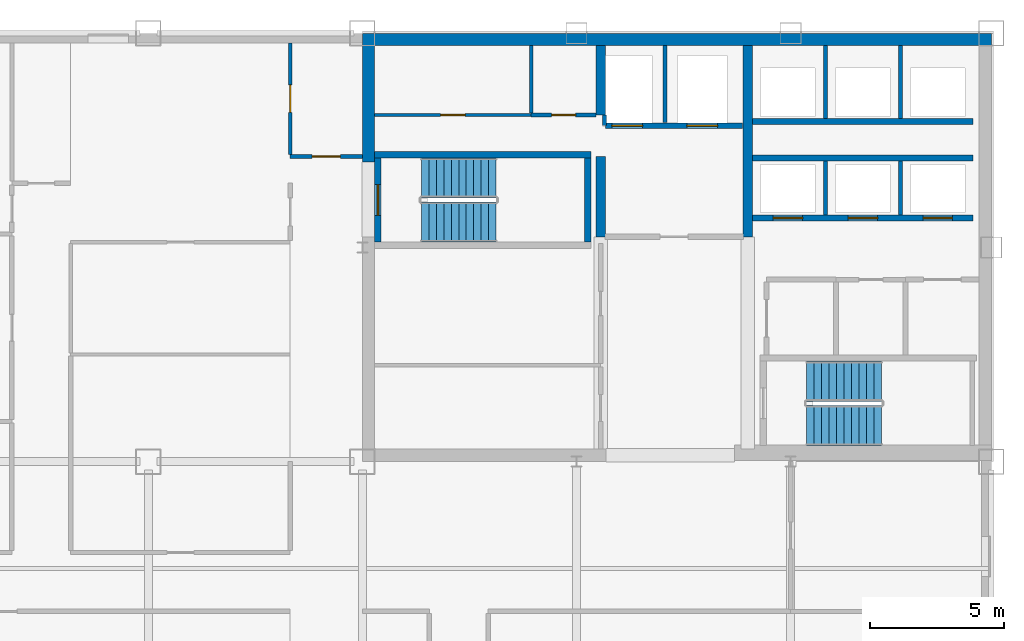
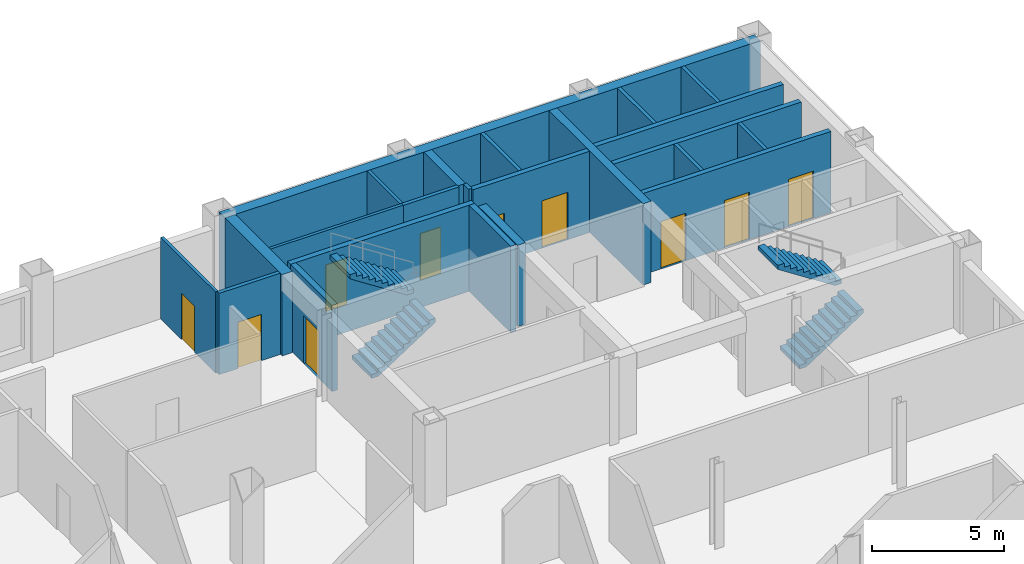
# One storey, part 6 of 10: 23 walls, 10 doors, 4 stair flights, 10 openings, 2 elements without a shape of their own.
"""IFC4 building model written with IfcOpenShell, lengths in metres."""

from ifc_helpers import new_model, si_unit, direction, frame, frame_2d, origin, place, context, subcontext, project, spatial, polyline, rectangle, outline, extrude, material, layer, layer_set, type_object, element, fill, aggregate, save


model = new_model("IFC4")

# Units and contexts
model_context = context("Model", 3, precision=1e-05, world=origin(), true_north=direction((0.0, 1.0)))
body_context = subcontext(model_context, "Body", "Model", "MODEL_VIEW")
ifc_project = project(units=[si_unit("LENGTHUNIT", "METRE"), si_unit("AREAUNIT", "SQUARE_METRE"), si_unit("VOLUMEUNIT", "CUBIC_METRE"), si_unit("PLANEANGLEUNIT", "RADIAN"), si_unit("MASSUNIT", "GRAM", prefix="KILO")], contexts=[model_context])

# Site, building, storey
site_placement = place(None, origin())
site = spatial("IfcSite", under=ifc_project, at=site_placement, CompositionType="ELEMENT")
building_placement = place(site_placement, origin())
building = spatial("IfcBuilding", under=site, at=building_placement, Name="Qianrong Seaharbour Tower", CompositionType="ELEMENT")
storey_placement = place(building_placement, frame((0.0, 0.0, 257.800048828125)))
storey = spatial("IfcBuildingStorey", under=building, at=storey_placement, Name="L62", CompositionType="ELEMENT", Elevation=257.800048828125)

# Walls
ifc_material_1 = material(Name="Concrete C60/75", Category="concrete")
ifc_layer_1 = layer(ifc_material_1, 0.4599609375)
ifc_layer_set_1 = layer_set([ifc_layer_1], Name="Concrete C60/75")
wall_type_1 = type_object("IfcWallType", Name="WALL-CORE-460", PredefinedType="SHEAR", material=ifc_layer_set_1)
wall_1_placement = place(storey_placement, frame((40.5, 51.77001953125, 0.0), z_axis=(0.0, 0.0, 1.0), x_axis=(1.0, 0.0, 0.0)))
element("IfcWall", 1, at=wall_1_placement, inside=storey, type_object=wall_type_1, Name="L62 North Core Shear Wall", PredefinedType="SHEAR", context=body_context, shape_type="SweptSolid", body=[
    extrude(rectangle(XDim=23.5, YDim=0.4599609375, at=frame_2d((11.75, 0.0))), origin(), (0.0, 0.0, 1.0), 3.77490234375),
])
wall_2_placement = place(storey_placement, frame((40.72998046875, 47.199951171875, 0.0), z_axis=(0.0, 0.0, 1.0), x_axis=(0.0, 1.0, 0.0)))
element("IfcWall", 2, at=wall_2_placement, inside=storey, type_object=wall_type_1, Name="L62 West Core Shear Wall North", PredefinedType="SHEAR", context=body_context, shape_type="SweptSolid", body=[
    extrude(rectangle(XDim=4.340087890625, YDim=0.4599609375, at=frame_2d((2.169921875, 0.0))), origin(), (0.0, 0.0, 1.0), 3.77490234375),
])
ifc_material_2 = material(Name="Concrete C50/60", Category="concrete")
ifc_layer_2 = layer(ifc_material_2, 0.35009765625)
ifc_layer_set_2 = layer_set([ifc_layer_2], Name="Concrete C50/60")
wall_type_2 = type_object("IfcWallType", Name="WALL-CORE-INT-350", PredefinedType="SHEAR", material=ifc_layer_set_2)
wall_3_placement = place(storey_placement, frame((49.39990234375, 44.39990234375, 0.0), z_axis=(0.0, 0.0, 1.0), x_axis=(0.0, 1.0, 0.0)))
element("IfcWall", 3, at=wall_3_placement, inside=storey, type_object=wall_type_2, Name="L62 Internal Core Shear Wall IW1N1", PredefinedType="SHEAR", context=body_context, shape_type="SweptSolid", body=[
    extrude(rectangle(XDim=3.0, YDim=0.35009765625, at=frame_2d((1.5, 0.0))), origin(), (0.0, 0.0, 1.0), 3.77490234375),
])
wall_4_placement = place(storey_placement, frame((49.39990234375, 48.949951171875, 0.0), z_axis=(0.0, 0.0, 1.0), x_axis=(0.0, 1.0, 0.0)))
element("IfcWall", 4, at=wall_4_placement, inside=storey, type_object=wall_type_2, Name="L62 Internal Core Shear Wall IW1N2", PredefinedType="SHEAR", context=body_context, shape_type="SweptSolid", body=[
    extrude(rectangle(XDim=2.590087890625, YDim=0.35009765625, at=frame_2d((1.294921875, 0.0))), origin(), (0.0, 0.0, 1.0), 3.77490234375),
])
wall_5_placement = place(storey_placement, frame((54.89990234375, 44.39990234375, 0.0), z_axis=(0.0, 0.0, 1.0), x_axis=(0.0, 1.0, 0.0)))
element("IfcWall", 5, at=wall_5_placement, inside=storey, type_object=wall_type_2, Name="L62 Internal Core Shear Wall IW2N", PredefinedType="SHEAR", context=body_context, shape_type="SweptSolid", body=[
    extrude(rectangle(XDim=7.14013671875, YDim=0.35009765625, at=frame_2d((3.570068359375, 0.0))), origin(), (0.0, 0.0, 1.0), 3.77490234375),
])

# Wall, opening, door
ifc_material_3 = material(Name="Fire-rated acoustic gypsum board partition")
ifc_layer_3 = layer(ifc_material_3, 0.1650390625)
ifc_layer_set_3 = layer_set([ifc_layer_3], Name="Fire-rated acoustic gypsum board partition")
wall_type_3 = type_object("IfcWallType", Name="WALL-CORR-PART-165", PredefinedType="PARTITIONING", material=ifc_layer_set_3)
wall_6_placement = place(storey_placement, frame((37.800048828125, 47.39990234375, 0.0), z_axis=(0.0, 0.0, 1.0), x_axis=(1.0, 0.0, 0.0)))
wall_6 = element("IfcWall", 6, at=wall_6_placement, inside=storey, type_object=wall_type_3, Name="L62 Interior Partition Wall 001", PredefinedType="PARTITIONING", context=body_context, shape_type="SweptSolid", body=[
    extrude(rectangle(XDim=2.699951171875, YDim=0.1650390625, at=frame_2d((1.35009765625, 0.0))), origin(), (0.0, 0.0, 1.0), 3.77490234375),
])
opening_1_placement = place(wall_6_placement, frame((0.824951171875, 0.0, 0.0)))
opening_1 = element("IfcOpeningElement", 7, at=opening_1_placement, cuts=wall_6, Name="Opening DC-01", PredefinedType="OPENING", context=body_context, shape_type="SweptSolid", body=[
    extrude(rectangle(XDim=1.050048828125, YDim=2.14990234375, at=frame_2d((0.52490234375, 1.074951171875))), frame((0.0, 0.092529296875, 0.0), z_axis=(0.0, -1.0, 0.0), x_axis=(1.0, 0.0, 0.0)), (0.0, 0.0, 1.0), 0.18505859375),
])
ifc_material_4 = material(Name="Acoustic timber and galvanized steel fire door assembly", Category="steel")
door_type_1 = type_object("IfcDoorType", Name="DOOR-CORR-FD60-1050x2150", OperationType="NOTDEFINED", PredefinedType="DOOR", material=ifc_material_4)
door_1_placement = place(opening_1_placement, origin())
door_1 = element("IfcDoor", 8, at=door_1_placement, inside=storey, type_object=door_type_1, Name="L62 Smokeproof Stair Vestibule ST-1 Door", OperationType="SINGLE_SWING_RIGHT", OverallHeight=2.14990234375, OverallWidth=1.050048828125, PredefinedType="DOOR", context=body_context, shape_type="SweptSolid", body=[
    extrude(rectangle(XDim=1.050048828125, YDim=2.14990234375, at=frame_2d((0.52490234375, 1.074951171875))), frame((0.0, 0.02490234375, 0.0), z_axis=(0.0, -1.0, 0.0), x_axis=(1.0, 0.0, 0.0)), (0.0, 0.0, 1.0), 0.050048828125),
])
fill(opening_1, door_1)

wall_7_placement = place(storey_placement, frame((46.800048828125, 48.949951171875, 0.0), z_axis=(0.0, 0.0, 1.0), x_axis=(1.0, 0.0, 0.0)))
wall_7 = element("IfcWall", 9, at=wall_7_placement, inside=storey, type_object=wall_type_3, Name="L62 Interior Partition Wall 005", PredefinedType="PARTITIONING", context=body_context, shape_type="SweptSolid", body=[
    extrude(rectangle(XDim=2.432861328125, YDim=0.1650390625, at=frame_2d((1.21630859375, 0.0))), origin(), (0.0, 0.0, 1.0), 3.77490234375),
])
opening_2_placement = place(wall_7_placement, frame((0.7666015625, 0.0, 0.0)))
opening_2 = element("IfcOpeningElement", 10, at=opening_2_placement, cuts=wall_7, Name="Opening DS-01", PredefinedType="OPENING", context=body_context, shape_type="SweptSolid", body=[
    extrude(rectangle(XDim=0.89990234375, YDim=2.14990234375, at=frame_2d((0.449951171875, 1.074951171875))), frame((0.0, 0.092529296875, 0.0), z_axis=(0.0, -1.0, 0.0), x_axis=(1.0, 0.0, 0.0)), (0.0, 0.0, 1.0), 0.18505859375),
])
door_type_2 = type_object("IfcDoorType", Name="DOOR-STORE-900x2150", OperationType="NOTDEFINED", PredefinedType="DOOR", material=ifc_material_4)
door_2_placement = place(opening_2_placement, origin())
door_2 = element("IfcDoor", 11, at=door_2_placement, inside=storey, type_object=door_type_2, Name="L62 Janitor Store Room Door", OperationType="SINGLE_SWING_LEFT", OverallHeight=2.14990234375, OverallWidth=0.89990234375, PredefinedType="DOOR", context=body_context, shape_type="SweptSolid", body=[
    extrude(rectangle(XDim=0.89990234375, YDim=2.14990234375, at=frame_2d((0.449951171875, 1.074951171875))), frame((0.0, 0.02490234375, 0.0), z_axis=(0.0, -1.0, 0.0), x_axis=(1.0, 0.0, 0.0)), (0.0, 0.0, 1.0), 0.050048828125),
])
fill(opening_2, door_2)

# Walls
ifc_material_5 = material(Name="Fire-rated gypsum board on steel studs", Category="steel")
ifc_layer_4 = layer(ifc_material_5, 0.14990234375)
ifc_layer_set_4 = layer_set([ifc_layer_4], Name="Fire-rated gypsum board on steel studs")
wall_type_4 = type_object("IfcWallType", Name="WALL-SHAFT-DIV-150", PredefinedType="PARTITIONING", material=ifc_layer_set_4)
wall_8_placement = place(storey_placement, frame((51.800048828125, 48.669921875, 0.0), z_axis=(0.0, 0.0, 1.0), x_axis=(0.0, 1.0, 0.0)))
element("IfcWall", 12, at=wall_8_placement, inside=storey, type_object=wall_type_4, Name="L62 Firefighting Lift Shaft Divider Wall", PredefinedType="PARTITIONING", context=body_context, shape_type="SweptSolid", body=[
    extrude(rectangle(XDim=2.8701171875, YDim=0.14990234375, at=frame_2d((1.43505859375, 0.0))), origin(), (0.0, 0.0, 1.0), 3.77490234375),
])
wall_9_placement = place(storey_placement, frame((49.550048828125, 48.550048828125, 0.0), z_axis=(0.0, 0.0, 1.0), x_axis=(0.0, 1.0, 0.0)))
element("IfcWall", 13, at=wall_9_placement, inside=storey, type_object=wall_type_4, Name="L62 Firefighting Lift Shaft West Return Wall", PredefinedType="PARTITIONING", context=body_context, shape_type="SweptSolid", body=[
    extrude(rectangle(XDim=0.39990234375, YDim=0.14990234375, at=frame_2d((0.199951171875, 0.0))), origin(), (0.0, 0.0, 1.0), 3.77490234375),
])
for number, where, z_axis, x_axis, name in (
    (14, (57.800048828125, 45.2099609375, 0.0), (0.0, 0.0, 1.0), (0.0, 1.0, 0.0), "L62 P3 Lift Hoistway Divider 2"),
    (15, (60.60009765625, 45.2099609375, 0.0), (0.0, 0.0, 1.0), (0.0, 1.0, 0.0), "L62 P3 Lift Hoistway Divider 3"),
):
    element("IfcWall", number, at=place(storey_placement, frame(where, z_axis=z_axis, x_axis=x_axis)), inside=storey, type_object=wall_type_4, Name=name, PredefinedType="PARTITIONING", context=body_context, shape_type="SweptSolid", body=[
        extrude(rectangle(XDim=2.030029296875, YDim=0.14990234375, at=frame_2d((1.01513671875, 0.0))), origin(), (0.0, 0.0, 1.0), 3.77490234375),
    ])
for number, where, z_axis, x_axis, name in (
    (16, (57.800048828125, 48.81005859375, 0.0), (0.0, 0.0, 1.0), (0.0, 1.0, 0.0), "L62 P4 Lift Hoistway Divider 2"),
    (17, (60.60009765625, 48.81005859375, 0.0), (0.0, 0.0, 1.0), (0.0, 1.0, 0.0), "L62 P4 Lift Hoistway Divider 3"),
):
    element("IfcWall", number, at=place(storey_placement, frame(where, z_axis=z_axis, x_axis=x_axis)), inside=storey, type_object=wall_type_4, Name=name, PredefinedType="PARTITIONING", context=body_context, shape_type="SweptSolid", body=[
        extrude(rectangle(XDim=2.72998046875, YDim=0.14990234375, at=frame_2d((1.364990234375, 0.0))), origin(), (0.0, 0.0, 1.0), 3.77490234375),
    ])

# Wall, openings, doors
ifc_layer_5 = layer(ifc_material_5, 0.219970703125)
ifc_layer_set_5 = layer_set([ifc_layer_5], Name="Fire-rated gypsum board on steel studs")
wall_type_5 = type_object("IfcWallType", Name="WALL-SHAFT-GYP220", PredefinedType="PARTITIONING", material=ifc_layer_set_5)
wall_10_placement = place(storey_placement, frame((54.7099609375, 48.550048828125, 0.0), z_axis=(0.0, 0.0, 1.0), x_axis=(-1.0, 0.0, 0.0)))
wall_10 = element("IfcWall", 18, at=wall_10_placement, inside=storey, type_object=wall_type_5, Name="L62 Firefighting Lift Shaft Front Wall", PredefinedType="PARTITIONING", context=body_context, shape_type="SweptSolid", body=[
    extrude(rectangle(XDim=5.119873046875, YDim=0.219970703125, at=frame_2d((2.56005859375, 0.0))), origin(), (0.0, 0.0, 1.0), 3.77490234375),
])
opening_3_placement = place(wall_10_placement, frame((3.735107421875, 0.0, 0.0)))
opening_3 = element("IfcOpeningElement", 19, at=opening_3_placement, cuts=wall_10, Name="Opening LD-01", PredefinedType="OPENING", context=body_context, shape_type="SweptSolid", body=[
    extrude(rectangle(XDim=1.14990234375, YDim=2.199951171875, at=frame_2d((0.574951171875, 1.10009765625))), frame((0.0, 0.1201171875, 0.0), z_axis=(0.0, -1.0, 0.0), x_axis=(1.0, 0.0, 0.0)), (0.0, 0.0, 1.0), 0.239990234375),
])
opening_4_placement = place(wall_10_placement, frame((0.93505859375, 0.0, 0.0)))
opening_4 = element("IfcOpeningElement", 20, at=opening_4_placement, cuts=wall_10, Name="Opening LD-01", PredefinedType="OPENING", context=body_context, shape_type="SweptSolid", body=[
    extrude(rectangle(XDim=1.14990234375, YDim=2.199951171875, at=frame_2d((0.574951171875, 1.10009765625))), frame((0.0, 0.1201171875, 0.0), z_axis=(0.0, -1.0, 0.0), x_axis=(1.0, 0.0, 0.0)), (0.0, 0.0, 1.0), 0.239990234375),
])
ifc_material_6 = material(Name="Stainless steel SUS316L bi-parting lift landing door", Category="steel")
door_type_3 = type_object("IfcDoorType", Name="DOOR-LIFT-FF-1150x2200", OperationType="DOUBLE_DOOR_SLIDING", PredefinedType="DOOR", material=ifc_material_6)
door_3_placement = place(opening_3_placement, origin())
door_3 = element("IfcDoor", 21, at=door_3_placement, inside=storey, type_object=door_type_3, Name="L62 FL-1 Firefighting Lift Landing Door", OperationType="DOUBLE_DOOR_SLIDING", OverallHeight=2.199951171875, OverallWidth=1.14990234375, PredefinedType="DOOR", context=body_context, shape_type="SweptSolid", body=[
    extrude(rectangle(XDim=1.14990234375, YDim=2.199951171875, at=frame_2d((0.574951171875, 1.10009765625))), frame((0.0, 0.02490234375, 0.0), z_axis=(0.0, -1.0, 0.0), x_axis=(1.0, 0.0, 0.0)), (0.0, 0.0, 1.0), 0.050048828125),
])
fill(opening_3, door_3)
door_4_placement = place(opening_4_placement, origin())
door_4 = element("IfcDoor", 22, at=door_4_placement, inside=storey, type_object=door_type_3, Name="L62 FL-2 Firefighting Lift Landing Door", OperationType="DOUBLE_DOOR_SLIDING", OverallHeight=2.199951171875, OverallWidth=1.14990234375, PredefinedType="DOOR", context=body_context, shape_type="SweptSolid", body=[
    extrude(rectangle(XDim=1.14990234375, YDim=2.199951171875, at=frame_2d((0.574951171875, 1.10009765625))), frame((0.0, 0.02490234375, 0.0), z_axis=(0.0, -1.0, 0.0), x_axis=(1.0, 0.0, 0.0)), (0.0, 0.0, 1.0), 0.050048828125),
])
fill(opening_4, door_4)

wall_11_placement = place(storey_placement, frame((63.320068359375, 45.10009765625, 0.0), z_axis=(0.0, 0.0, 1.0), x_axis=(-1.0, 0.0, 0.0)))
wall_11 = element("IfcWall", 23, at=wall_11_placement, inside=storey, type_object=wall_type_5, Name="L62 P3 Lift Hoistway Front Wall", PredefinedType="PARTITIONING", context=body_context, shape_type="SweptSolid", body=[
    extrude(rectangle(XDim=8.239990234375, YDim=0.219970703125, at=frame_2d((4.1201171875, 0.0))), origin(), (0.0, 0.0, 1.0), 3.77490234375),
])
opening_5_placement = place(wall_11_placement, frame((6.3701171875, 0.0, 0.0)))
opening_5 = element("IfcOpeningElement", 24, at=opening_5_placement, cuts=wall_11, Name="Opening LD-02", PredefinedType="OPENING", context=body_context, shape_type="SweptSolid", body=[
    extrude(rectangle(XDim=1.10009765625, YDim=2.199951171875, at=frame_2d((0.550048828125, 1.10009765625))), frame((0.0, 0.1201171875, 0.0), z_axis=(0.0, -1.0, 0.0), x_axis=(1.0, 0.0, 0.0)), (0.0, 0.0, 1.0), 0.239990234375),
])
opening_6_placement = place(wall_11_placement, frame((3.570068359375, 0.0, 0.0)))
opening_6 = element("IfcOpeningElement", 25, at=opening_6_placement, cuts=wall_11, Name="Opening LD-02", PredefinedType="OPENING", context=body_context, shape_type="SweptSolid", body=[
    extrude(rectangle(XDim=1.10009765625, YDim=2.199951171875, at=frame_2d((0.550048828125, 1.10009765625))), frame((0.0, 0.1201171875, 0.0), z_axis=(0.0, -1.0, 0.0), x_axis=(1.0, 0.0, 0.0)), (0.0, 0.0, 1.0), 0.239990234375),
])
opening_7_placement = place(wall_11_placement, frame((0.77001953125, 0.0, 0.0)))
opening_7 = element("IfcOpeningElement", 26, at=opening_7_placement, cuts=wall_11, Name="Opening LD-02", PredefinedType="OPENING", context=body_context, shape_type="SweptSolid", body=[
    extrude(rectangle(XDim=1.10009765625, YDim=2.199951171875, at=frame_2d((0.550048828125, 1.10009765625))), frame((0.0, 0.1201171875, 0.0), z_axis=(0.0, -1.0, 0.0), x_axis=(1.0, 0.0, 0.0)), (0.0, 0.0, 1.0), 0.239990234375),
])
door_type_4 = type_object("IfcDoorType", Name="DOOR-LIFT-PASS-1100x2200", OperationType="DOUBLE_DOOR_SLIDING", PredefinedType="DOOR", material=ifc_material_6)
door_5_placement = place(opening_5_placement, origin())
door_5 = element("IfcDoor", 27, at=door_5_placement, inside=storey, type_object=door_type_4, Name="L62 PL-3A Lift Landing Door", OperationType="DOUBLE_DOOR_SLIDING", OverallHeight=2.199951171875, OverallWidth=1.10009765625, PredefinedType="DOOR", context=body_context, shape_type="SweptSolid", body=[
    extrude(rectangle(XDim=1.10009765625, YDim=2.199951171875, at=frame_2d((0.550048828125, 1.10009765625))), frame((0.0, 0.02490234375, 0.0), z_axis=(0.0, -1.0, 0.0), x_axis=(1.0, 0.0, 0.0)), (0.0, 0.0, 1.0), 0.050048828125),
])
fill(opening_5, door_5)
door_6_placement = place(opening_6_placement, origin())
door_6 = element("IfcDoor", 28, at=door_6_placement, inside=storey, type_object=door_type_4, Name="L62 PL-3B Lift Landing Door", OperationType="DOUBLE_DOOR_SLIDING", OverallHeight=2.199951171875, OverallWidth=1.10009765625, PredefinedType="DOOR", context=body_context, shape_type="SweptSolid", body=[
    extrude(rectangle(XDim=1.10009765625, YDim=2.199951171875, at=frame_2d((0.550048828125, 1.10009765625))), frame((0.0, 0.02490234375, 0.0), z_axis=(0.0, -1.0, 0.0), x_axis=(1.0, 0.0, 0.0)), (0.0, 0.0, 1.0), 0.050048828125),
])
fill(opening_6, door_6)
door_7_placement = place(opening_7_placement, origin())
door_7 = element("IfcDoor", 29, at=door_7_placement, inside=storey, type_object=door_type_4, Name="L62 PL-3C Lift Landing Door", OperationType="DOUBLE_DOOR_SLIDING", OverallHeight=2.199951171875, OverallWidth=1.10009765625, PredefinedType="DOOR", context=body_context, shape_type="SweptSolid", body=[
    extrude(rectangle(XDim=1.10009765625, YDim=2.199951171875, at=frame_2d((0.550048828125, 1.10009765625))), frame((0.0, 0.02490234375, 0.0), z_axis=(0.0, -1.0, 0.0), x_axis=(1.0, 0.0, 0.0)), (0.0, 0.0, 1.0), 0.050048828125),
])
fill(opening_7, door_7)

# Walls
for number, where, z_axis, x_axis, name in (
    (30, (55.080078125, 47.35009765625, 0.0), (0.0, 0.0, 1.0), (1.0, 0.0, 0.0), "L62 P3 Lift Hoistway Back Wall"),
    (31, (63.320068359375, 48.699951171875, 0.0), (0.0, 0.0, 1.0), (-1.0, 0.0, 0.0), "L62 P4 Lift Hoistway Front Wall"),
):
    element("IfcWall", number, at=place(storey_placement, frame(where, z_axis=z_axis, x_axis=x_axis)), inside=storey, type_object=wall_type_5, Name=name, PredefinedType="PARTITIONING", context=body_context, shape_type="SweptSolid", body=[
        extrude(rectangle(XDim=8.239990234375, YDim=0.219970703125, at=frame_2d((4.1201171875, 0.0))), origin(), (0.0, 0.0, 1.0), 3.77490234375),
    ])
ifc_layer_6 = layer(ifc_material_2, 0.239990234375)
ifc_layer_set_6 = layer_set([ifc_layer_6], Name="Concrete C50/60")
wall_type_6 = type_object("IfcWallType", Name="WALL-SHAFT-RC240", PredefinedType="SOLIDWALL", material=ifc_layer_set_6)
wall_12_placement = place(storey_placement, frame((40.9599609375, 47.469970703125, 0.0), z_axis=(0.0, 0.0, 1.0), x_axis=(1.0, 0.0, 0.0)))
element("IfcWall", 32, at=wall_12_placement, inside=storey, type_object=wall_type_6, Name="L62 ST-1 Structural Stair Core Wall N", PredefinedType="SOLIDWALL", context=body_context, shape_type="SweptSolid", body=[
    extrude(rectangle(XDim=8.080078125, YDim=0.239990234375, at=frame_2d((4.0400390625, 0.0))), origin(), (0.0, 0.0, 1.0), 4.0),
])

# Wall, opening, door
wall_13_placement = place(storey_placement, frame((41.080078125, 47.35009765625, 0.0), z_axis=(0.0, 0.0, 1.0), x_axis=(0.0, -1.0, 0.0)))
wall_13 = element("IfcWall", 33, at=wall_13_placement, inside=storey, type_object=wall_type_6, Name="L62 ST-1 Structural Stair Core Wall W", PredefinedType="SOLIDWALL", context=body_context, shape_type="SweptSolid", body=[
    extrude(rectangle(XDim=3.150146484375, YDim=0.239990234375, at=frame_2d((1.5751953125, 0.0))), origin(), (0.0, 0.0, 1.0), 4.0),
])
opening_8_placement = place(wall_13_placement, frame((1.0, 0.0, 0.0)))
opening_8 = element("IfcOpeningElement", 34, at=opening_8_placement, cuts=wall_13, Name="Opening SD-01", PredefinedType="OPENING", context=body_context, shape_type="SweptSolid", body=[
    extrude(rectangle(XDim=1.14990234375, YDim=2.199951171875, at=frame_2d((0.574951171875, 1.10009765625))), frame((0.0, 0.1298828125, 0.0), z_axis=(0.0, -1.0, 0.0), x_axis=(1.0, 0.0, 0.0)), (0.0, 0.0, 1.0), 0.260009765625),
])
door_type_5 = type_object("IfcDoorType", Name="DOOR-STAIR-FD60-1150x2200", OperationType="NOTDEFINED", PredefinedType="DOOR", material=ifc_material_4)
door_8_placement = place(opening_8_placement, origin())
door_8 = element("IfcDoor", 35, at=door_8_placement, inside=storey, type_object=door_type_5, Name="L62 ST-1 Protected Stair Door", OperationType="SINGLE_SWING_LEFT", OverallHeight=2.199951171875, OverallWidth=1.14990234375, PredefinedType="DOOR", context=body_context, shape_type="SweptSolid", body=[
    extrude(rectangle(XDim=1.14990234375, YDim=2.199951171875, at=frame_2d((0.574951171875, 1.10009765625))), frame((0.0, 0.02490234375, 0.0), z_axis=(0.0, -1.0, 0.0), x_axis=(1.0, 0.0, 0.0)), (0.0, 0.0, 1.0), 0.050048828125),
])
fill(opening_8, door_8)

# Wall
wall_14_placement = place(storey_placement, frame((48.919921875, 44.199951171875, 0.0), z_axis=(0.0, 0.0, 1.0), x_axis=(0.0, 1.0, 0.0)))
element("IfcWall", 36, at=wall_14_placement, inside=storey, type_object=wall_type_6, Name="L62 ST-1 Structural Stair Core Wall E", PredefinedType="SOLIDWALL", context=body_context, shape_type="SweptSolid", body=[
    extrude(rectangle(XDim=3.150146484375, YDim=0.239990234375, at=frame_2d((1.5751953125, 0.0))), origin(), (0.0, 0.0, 1.0), 4.0),
])

# Wall, opening, door
ifc_material_7 = material(Name="Water-resistant cement board sanitary partition")
ifc_layer_7 = layer(ifc_material_7, 0.1298828125)
ifc_layer_set_7 = layer_set([ifc_layer_7], Name="Water-resistant cement board sanitary partition")
wall_type_7 = type_object("IfcWallType", Name="WALL-WET-PART-130", PredefinedType="PARTITIONING", material=ifc_layer_set_7)
wall_15_placement = place(storey_placement, frame((37.800048828125, 47.474609375, 0.0), z_axis=(0.0, 0.0, 1.0), x_axis=(0.0, 1.0, 0.0)))
wall_15 = element("IfcWall", 37, at=wall_15_placement, inside=storey, type_object=wall_type_7, Name="L62 Interior Partition Wall 003", PredefinedType="PARTITIONING", context=body_context, shape_type="SweptSolid", body=[
    extrude(rectangle(XDim=4.17333984375, YDim=0.1298828125, at=frame_2d((2.086669921875, 0.0))), origin(), (0.0, 0.0, 1.0), 3.77490234375),
])
opening_9_placement = place(wall_15_placement, frame((1.57666015625, 0.0, 0.0)))
opening_9 = element("IfcOpeningElement", 38, at=opening_9_placement, cuts=wall_15, Name="Opening DAW-01", PredefinedType="OPENING", context=body_context, shape_type="SweptSolid", body=[
    extrude(rectangle(XDim=1.02001953125, YDim=2.14990234375, at=frame_2d((0.510009765625, 1.074951171875))), frame((0.0, 0.074951171875, 0.0), z_axis=(0.0, -1.0, 0.0), x_axis=(1.0, 0.0, 0.0)), (0.0, 0.0, 1.0), 0.14990234375),
])
door_type_6 = type_object("IfcDoorType", Name="DOOR-AWC-SLIDE-1020x2150", OperationType="SLIDING_TO_LEFT", PredefinedType="DOOR", material=ifc_material_4)
door_9_placement = place(opening_9_placement, origin())
door_9 = element("IfcDoor", 39, at=door_9_placement, inside=storey, type_object=door_type_6, Name="L62 Accessible Restroom WC Door", OperationType="SLIDING_TO_LEFT", OverallHeight=2.14990234375, OverallWidth=1.02001953125, PredefinedType="DOOR", context=body_context, shape_type="SweptSolid", body=[
    extrude(rectangle(XDim=1.02001953125, YDim=2.14990234375, at=frame_2d((0.510009765625, 1.074951171875))), frame((0.0, 0.02490234375, 0.0), z_axis=(0.0, -1.0, 0.0), x_axis=(1.0, 0.0, 0.0)), (0.0, 0.0, 1.0), 0.050048828125),
])
fill(opening_9, door_9)

wall_16_placement = place(storey_placement, frame((40.9599609375, 48.949951171875, 0.0), z_axis=(0.0, 0.0, 1.0), x_axis=(1.0, 0.0, 0.0)))
wall_16 = element("IfcWall", 40, at=wall_16_placement, inside=storey, type_object=wall_type_7, Name="L62 Interior Partition Wall 004", PredefinedType="PARTITIONING", context=body_context, shape_type="SweptSolid", body=[
    extrude(rectangle(XDim=5.840087890625, YDim=0.1298828125, at=frame_2d((2.919921875, 0.0))), origin(), (0.0, 0.0, 1.0), 3.77490234375),
])
opening_10_placement = place(wall_16_placement, frame((2.4599609375, 0.0, 0.0)))
opening_10 = element("IfcOpeningElement", 41, at=opening_10_placement, cuts=wall_16, Name="Opening DW-01", PredefinedType="OPENING", context=body_context, shape_type="SweptSolid", body=[
    extrude(rectangle(XDim=0.919921875, YDim=2.14990234375, at=frame_2d((0.4599609375, 1.074951171875))), frame((0.0, 0.074951171875, 0.0), z_axis=(0.0, -1.0, 0.0), x_axis=(1.0, 0.0, 0.0)), (0.0, 0.0, 1.0), 0.14990234375),
])
door_type_7 = type_object("IfcDoorType", Name="DOOR-WC-920x2150", OperationType="NOTDEFINED", PredefinedType="DOOR", material=ifc_material_4)
door_10_placement = place(opening_10_placement, origin())
door_10 = element("IfcDoor", 42, at=door_10_placement, inside=storey, type_object=door_type_7, Name="L62 Restroom WC Suite Door", OperationType="SINGLE_SWING_RIGHT", OverallHeight=2.14990234375, OverallWidth=0.919921875, PredefinedType="DOOR", context=body_context, shape_type="SweptSolid", body=[
    extrude(rectangle(XDim=0.919921875, YDim=2.14990234375, at=frame_2d((0.4599609375, 1.074951171875))), frame((0.0, 0.02490234375, 0.0), z_axis=(0.0, -1.0, 0.0), x_axis=(1.0, 0.0, 0.0)), (0.0, 0.0, 1.0), 0.050048828125),
])
fill(opening_10, door_10)

# Wall
wall_17_placement = place(storey_placement, frame((46.800048828125, 51.5400390625, 0.0), z_axis=(0.0, 0.0, 1.0), x_axis=(0.0, -1.0, 0.0)))
element("IfcWall", 43, at=wall_17_placement, inside=storey, type_object=wall_type_7, Name="L62 Interior Partition Wall 014", PredefinedType="PARTITIONING", context=body_context, shape_type="SweptSolid", body=[
    extrude(rectangle(XDim=2.515625, YDim=0.1298828125, at=frame_2d((1.2578125, 0.0))), origin(), (0.0, 0.0, 1.0), 3.77490234375),
])

# Stair, stair flights
stair_type = type_object("IfcStairType", Name="STAIR-DOGLEG-1500-R22", PredefinedType="HALF_TURN_STAIR", material=ifc_material_2)
stair_1_placement = place(storey_placement, origin())
stair_1 = element("IfcStair", 44, at=stair_1_placement, inside=storey, type_object=stair_type, Name="L62 Protected Escape Stair ST-1", PredefinedType="HALF_TURN_STAIR")
stair_flight_type = type_object("IfcStairFlightType", Name="FLIGHT-STR-1500-R22", PredefinedType="STRAIGHT", material=ifc_material_2)
stair_flight_1_placement = place(storey_placement, frame((42.699951171875, 44.949951171875, 0.0), z_axis=(0.0, 0.0, 1.0), x_axis=(1.0, 0.0, 0.0)))
stair_flight_1 = element("IfcStairFlight", 45, at=stair_flight_1_placement, type_object=stair_flight_type, Name="ST-1 flight 1", NumberOfRisers=11, NumberOfTreads=10, PredefinedType="STRAIGHT", RiserHeight=0.181818182, TreadLength=0.28, context=body_context, shape_type="SweptSolid", body=[
    extrude(outline(polyline([(0.0, 0.0), (0.0, 0.181884765625), (0.280029296875, 0.181884765625), (0.280029296875, 0.363525390625), (0.56005859375, 0.363525390625), (0.56005859375, 0.54541015625), (0.840087890625, 0.54541015625), (0.840087890625, 0.727294921875), (1.1201171875, 0.727294921875), (1.1201171875, 0.9091796875), (1.39990234375, 0.9091796875), (1.39990234375, 1.0908203125), (1.679931640625, 1.0908203125), (1.679931640625, 1.272705078125), (1.9599609375, 1.272705078125), (1.9599609375, 1.45458984375), (2.239990234375, 1.45458984375), (2.239990234375, 1.636474609375), (2.52001953125, 1.636474609375), (2.52001953125, 1.818115234375), (2.800048828125, 1.818115234375), (2.800048828125, 2.0), (2.800048828125, 1.62744140625), (0.293701171875, 0.0), (0.0, 0.0)])), frame((0.0, 0.75, 0.0), z_axis=(0.0, -1.0, 0.0), x_axis=(1.0, 0.0, 0.0)), (0.0, 0.0, 1.0), 1.5),
])
stair_flight_2_placement = place(storey_placement, frame((45.5, 46.60009765625, 2.0), z_axis=(0.0, 0.0, 1.0), x_axis=(-1.0, 0.0, 0.0)))
stair_flight_2 = element("IfcStairFlight", 46, at=stair_flight_2_placement, type_object=stair_flight_type, Name="ST-1 flight 2", NumberOfRisers=11, NumberOfTreads=10, PredefinedType="STRAIGHT", RiserHeight=0.181818182, TreadLength=0.28, context=body_context, shape_type="SweptSolid", body=[
    extrude(outline(polyline([(0.0, 0.0), (0.0, 0.181884765625), (0.280029296875, 0.181884765625), (0.280029296875, 0.363525390625), (0.56005859375, 0.363525390625), (0.56005859375, 0.54541015625), (0.840087890625, 0.54541015625), (0.840087890625, 0.727294921875), (1.1201171875, 0.727294921875), (1.1201171875, 0.9091796875), (1.39990234375, 0.9091796875), (1.39990234375, 1.0908203125), (1.679931640625, 1.0908203125), (1.679931640625, 1.272705078125), (1.9599609375, 1.272705078125), (1.9599609375, 1.45458984375), (2.239990234375, 1.45458984375), (2.239990234375, 1.636474609375), (2.52001953125, 1.636474609375), (2.52001953125, 1.818115234375), (2.800048828125, 1.818115234375), (2.800048828125, 2.0), (2.800048828125, 1.62744140625), (0.293701171875, 0.0), (0.0, 0.0)])), frame((0.0, 0.75, 0.0), z_axis=(0.0, -1.0, 0.0), x_axis=(1.0, 0.0, 0.0)), (0.0, 0.0, 1.0), 1.5),
])
aggregate(stair_1, [stair_flight_1, stair_flight_2])

stair_2_placement = place(storey_placement, origin())
stair_2 = element("IfcStair", 47, at=stair_2_placement, inside=storey, type_object=stair_type, Name="L62 Protected Escape Stair ST-2", PredefinedType="HALF_TURN_STAIR")
stair_flight_3_placement = place(storey_placement, frame((57.10009765625, 37.35009765625, 0.0), z_axis=(0.0, 0.0, 1.0), x_axis=(1.0, 0.0, 0.0)))
stair_flight_3 = element("IfcStairFlight", 48, at=stair_flight_3_placement, type_object=stair_flight_type, Name="ST-2 flight 1", NumberOfRisers=11, NumberOfTreads=10, PredefinedType="STRAIGHT", RiserHeight=0.181818182, TreadLength=0.28, context=body_context, shape_type="SweptSolid", body=[
    extrude(outline(polyline([(0.0, 0.0), (0.0, 0.181884765625), (0.280029296875, 0.181884765625), (0.280029296875, 0.363525390625), (0.56005859375, 0.363525390625), (0.56005859375, 0.54541015625), (0.840087890625, 0.54541015625), (0.840087890625, 0.727294921875), (1.1201171875, 0.727294921875), (1.1201171875, 0.9091796875), (1.39990234375, 0.9091796875), (1.39990234375, 1.0908203125), (1.679931640625, 1.0908203125), (1.679931640625, 1.272705078125), (1.9599609375, 1.272705078125), (1.9599609375, 1.45458984375), (2.239990234375, 1.45458984375), (2.239990234375, 1.636474609375), (2.52001953125, 1.636474609375), (2.52001953125, 1.818115234375), (2.800048828125, 1.818115234375), (2.800048828125, 2.0), (2.800048828125, 1.62744140625), (0.293701171875, 0.0), (0.0, 0.0)])), frame((0.0, 0.75, 0.0), z_axis=(0.0, -1.0, 0.0), x_axis=(1.0, 0.0, 0.0)), (0.0, 0.0, 1.0), 1.5),
])
stair_flight_4_placement = place(storey_placement, frame((59.89990234375, 39.0, 2.0), z_axis=(0.0, 0.0, 1.0), x_axis=(-1.0, 0.0, 0.0)))
stair_flight_4 = element("IfcStairFlight", 49, at=stair_flight_4_placement, type_object=stair_flight_type, Name="ST-2 flight 2", NumberOfRisers=11, NumberOfTreads=10, PredefinedType="STRAIGHT", RiserHeight=0.181818182, TreadLength=0.28, context=body_context, shape_type="SweptSolid", body=[
    extrude(outline(polyline([(0.0, 0.0), (0.0, 0.181884765625), (0.280029296875, 0.181884765625), (0.280029296875, 0.363525390625), (0.56005859375, 0.363525390625), (0.56005859375, 0.54541015625), (0.840087890625, 0.54541015625), (0.840087890625, 0.727294921875), (1.1201171875, 0.727294921875), (1.1201171875, 0.9091796875), (1.39990234375, 0.9091796875), (1.39990234375, 1.0908203125), (1.679931640625, 1.0908203125), (1.679931640625, 1.272705078125), (1.9599609375, 1.272705078125), (1.9599609375, 1.45458984375), (2.239990234375, 1.45458984375), (2.239990234375, 1.636474609375), (2.52001953125, 1.636474609375), (2.52001953125, 1.818115234375), (2.800048828125, 1.818115234375), (2.800048828125, 2.0), (2.800048828125, 1.62744140625), (0.293701171875, 0.0), (0.0, 0.0)])), frame((0.0, 0.75, 0.0), z_axis=(0.0, -1.0, 0.0), x_axis=(1.0, 0.0, 0.0)), (0.0, 0.0, 1.0), 1.5),
])
aggregate(stair_2, [stair_flight_3, stair_flight_4])

save(model, "model.ifc")
